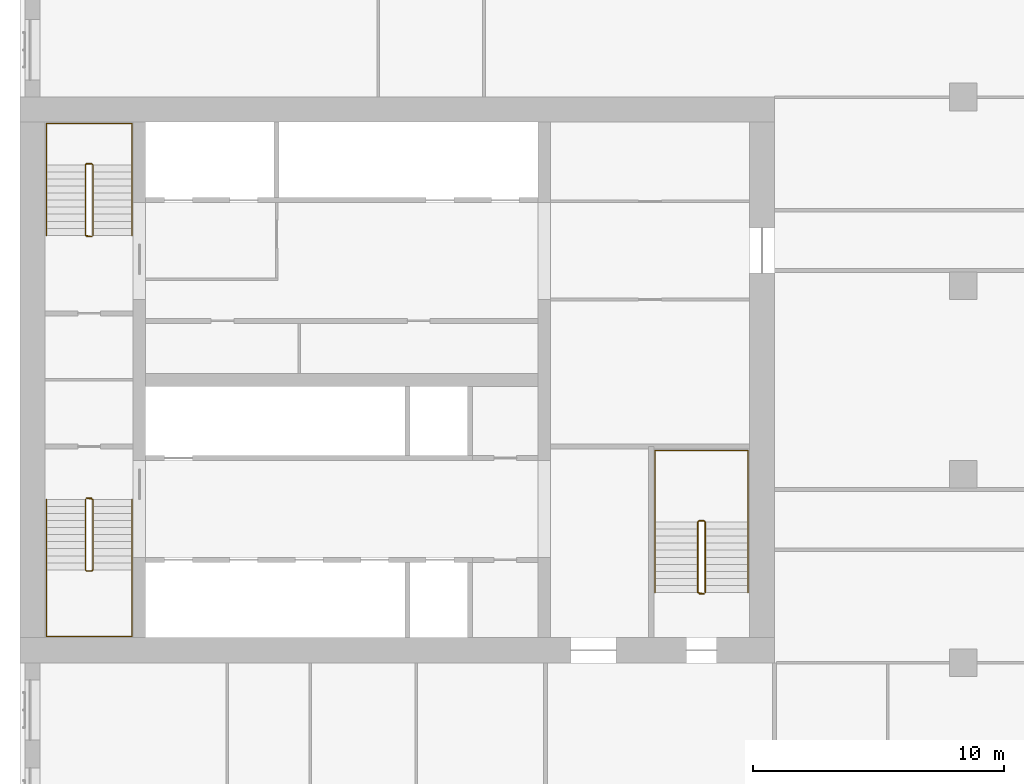
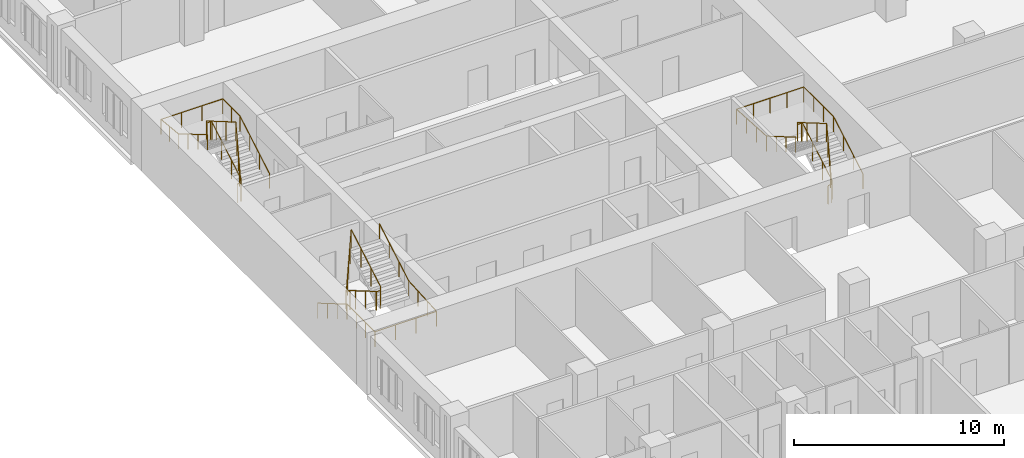
# One storey, part 15 of 15: 6 railings.
"""IFC4 building model written with IfcOpenShell, lengths in metres."""

from ifc_helpers import new_model, si_unit, direction, frame, origin, origin_2d, place, context, subcontext, project, spatial, circle, extrude, material, type_object, element, save


model = new_model("IFC4")

# Units and contexts
model_context = context("Model", 3, precision=1e-05, world=origin(), true_north=direction((0.0, 1.0)))
body_context = subcontext(model_context, "Body", "Model", "MODEL_VIEW")
ifc_project = project(units=[si_unit("LENGTHUNIT", "METRE"), si_unit("AREAUNIT", "SQUARE_METRE"), si_unit("VOLUMEUNIT", "CUBIC_METRE"), si_unit("PLANEANGLEUNIT", "RADIAN"), si_unit("MASSUNIT", "GRAM", prefix="KILO")], contexts=[model_context])

# Site, building, storey
site_placement = place(None, origin())
site = spatial("IfcSite", under=ifc_project, at=site_placement, CompositionType="ELEMENT")
building_placement = place(site_placement, origin())
building = spatial("IfcBuilding", under=site, at=building_placement, Name="Tamorin Gate", CompositionType="ELEMENT")
storey_placement = place(building_placement, frame((0.0, 0.0, 97.10009765625)))
storey = spatial("IfcBuildingStorey", under=building, at=storey_placement, Name="L23", CompositionType="ELEMENT", Elevation=97.10009765625)

# Railings
ifc_material_1 = material(Name="Painted steel balustrade", Category="steel")
railing_type_1 = type_object("IfcRailingType", Name="Stair guard 1100", PredefinedType="GUARDRAIL", material=ifc_material_1)
railing_1_placement = place(storey_placement, frame((32.60009765625, 66.5, 0.16357421875)))
element("IfcRailing", 1, at=railing_1_placement, inside=storey, type_object=railing_type_1, Name="L23 ST1 stair guard 1", PredefinedType="GUARDRAIL", context=body_context, shape_type="SweptSolid", body=[
    extrude(circle(Radius=0.02392578125, at=origin_2d()), frame((0.0, 0.0, 1.076171875), z_axis=(0.0, -0.863393664356, 0.504530851732), x_axis=(1.0, 0.0, 0.0)), (0.0, 0.0, 1.0), 3.2431640625),
    extrude(circle(Radius=0.02392578125, at=origin_2d()), frame((0.0, -2.800048828125, 2.71240234375), z_axis=(0.705375805398, -0.708833529934, 0.0), x_axis=(0.708833529934, 0.705375805398, 0.0)), (0.0, 0.0, 1.0), 0.070556640625),
    extrude(circle(Radius=0.02392578125, at=origin_2d()), frame((0.0498046875, -2.85009765625, 2.71240234375), z_axis=(1.0, 0.0, 0.0), x_axis=(0.0, 1.0, 0.0)), (0.0, 0.0, 1.0), 0.2001953125),
    extrude(circle(Radius=0.02392578125, at=origin_2d()), frame((0.25, -2.85009765625, 2.71240234375), z_axis=(0.279194930351, 0.280563532951, 0.91833234444), x_axis=(-0.708833529934, 0.705375805398, 0.0)), (0.0, 0.0, 1.0), 0.178466796875),
    extrude(circle(Radius=0.02392578125, at=origin_2d()), frame((0.2998046875, -2.800048828125, 2.8759765625), z_axis=(0.0, 0.863393664356, 0.504530851732), x_axis=(-1.0, 0.0, 0.0)), (0.0, 0.0, 1.0), 3.2431640625),
    extrude(circle(Radius=0.02392578125, at=origin_2d()), frame((0.2998046875, 0.0, 4.51220703125), z_axis=(-0.069273741535, 0.013868278335, -0.997501288014), x_axis=(-0.196300278283, -0.98054382908, 0.0)), (0.0, 0.0, 1.0), 3.60888671875),
    extrude(circle(Radius=0.02392578125, at=origin_2d()), frame((0.0498046875, 0.050048828125, 0.91259765625), z_axis=(1.0, 0.0, 0.0), x_axis=(0.0, 1.0, 0.0)), (0.0, 0.0, 1.0), 0.2001953125),
    extrude(circle(Radius=0.02099609375, at=origin_2d()), origin(), (0.0, 0.0, 1.0), 1.052001953125),
    extrude(circle(Radius=0.02099609375, at=origin_2d()), frame((0.0, -0.933349609375, 0.54541015625)), (0.0, 0.0, 1.0), 1.052001953125),
    extrude(circle(Radius=0.02099609375, at=origin_2d()), frame((0.0, -1.86669921875, 1.0908203125)), (0.0, 0.0, 1.0), 1.052001953125),
    extrude(circle(Radius=0.02099609375, at=origin_2d()), frame((0.0, -2.800048828125, 1.63623046875)), (0.0, 0.0, 1.0), 1.052001953125),
    extrude(circle(Radius=0.02099609375, at=origin_2d()), frame((0.0498046875, -2.85009765625, 1.63623046875)), (0.0, 0.0, 1.0), 1.052001953125),
    extrude(circle(Radius=0.02099609375, at=origin_2d()), frame((0.25, -2.85009765625, 1.63623046875)), (0.0, 0.0, 1.0), 1.052001953125),
    extrude(circle(Radius=0.02099609375, at=origin_2d()), frame((0.2998046875, -2.800048828125, 1.800048828125)), (0.0, 0.0, 1.0), 1.052001953125),
    extrude(circle(Radius=0.02099609375, at=origin_2d()), frame((0.2998046875, -1.86669921875, 2.345458984375)), (0.0, 0.0, 1.0), 1.052001953125),
    extrude(circle(Radius=0.02099609375, at=origin_2d()), frame((0.2998046875, -0.933349609375, 2.890869140625)), (0.0, 0.0, 1.0), 1.052001953125),
    extrude(circle(Radius=0.02099609375, at=origin_2d()), frame((0.2998046875, 0.0, 3.436279296875)), (0.0, 0.0, 1.0), 1.052001953125),
    extrude(circle(Radius=0.02099609375, at=origin_2d()), frame((0.2373046875, 0.012451171875, 2.536376953125)), (0.0, 0.0, 1.0), 1.052001953125),
    extrude(circle(Radius=0.02099609375, at=origin_2d()), frame((0.1748046875, 0.02490234375, 1.63623046875)), (0.0, 0.0, 1.0), 1.052001953125),
    extrude(circle(Radius=0.02099609375, at=origin_2d()), frame((0.1123046875, 0.03759765625, 0.736328125)), (0.0, 0.0, 1.0), 1.052001953125),
    extrude(circle(Radius=0.02099609375, at=origin_2d()), frame((0.0498046875, 0.050048828125, -0.16357421875)), (0.0, 0.0, 1.0), 1.052001953125),
    extrude(circle(Radius=0.02099609375, at=origin_2d()), frame((0.25, 0.050048828125, -0.16357421875)), (0.0, 0.0, 1.0), 1.052001953125),
])
railing_2_placement = place(storey_placement, frame((32.89990234375, 77.0, 0.16357421875)))
element("IfcRailing", 2, at=railing_2_placement, inside=storey, type_object=railing_type_1, Name="L23 ST2 stair guard 1", PredefinedType="GUARDRAIL", context=body_context, shape_type="SweptSolid", body=[
    extrude(circle(Radius=0.02392578125, at=origin_2d()), frame((0.0, 0.0, 1.076171875), z_axis=(0.0, 0.863393664356, 0.504530851732), x_axis=(-1.0, 0.0, 0.0)), (0.0, 0.0, 1.0), 3.2431640625),
    extrude(circle(Radius=0.02392578125, at=origin_2d()), frame((0.0, 2.800048828125, 2.71240234375), z_axis=(-0.705375805398, 0.708833529934, 0.0), x_axis=(-0.708833529934, -0.705375805398, 0.0)), (0.0, 0.0, 1.0), 0.070556640625),
    extrude(circle(Radius=0.02392578125, at=origin_2d()), frame((-0.0498046875, 2.85009765625, 2.71240234375), z_axis=(-1.0, 0.0, 0.0), x_axis=(0.0, -1.0, 0.0)), (0.0, 0.0, 1.0), 0.2001953125),
    extrude(circle(Radius=0.02392578125, at=origin_2d()), frame((-0.25, 2.85009765625, 2.71240234375), z_axis=(-0.279194930351, -0.280563532951, 0.91833234444), x_axis=(0.708833529934, -0.705375805398, 0.0)), (0.0, 0.0, 1.0), 0.178466796875),
    extrude(circle(Radius=0.02392578125, at=origin_2d()), frame((-0.2998046875, 2.800048828125, 2.8759765625), z_axis=(0.0, -0.863393664356, 0.504530851732), x_axis=(1.0, 0.0, 0.0)), (0.0, 0.0, 1.0), 3.2431640625),
    extrude(circle(Radius=0.02392578125, at=origin_2d()), frame((-0.2998046875, 0.0, 4.51220703125), z_axis=(0.069273741535, -0.013868278335, -0.997501288014), x_axis=(0.196300278283, 0.98054382908, 0.0)), (0.0, 0.0, 1.0), 3.60888671875),
    extrude(circle(Radius=0.02392578125, at=origin_2d()), frame((-0.0498046875, -0.050048828125, 0.91259765625), z_axis=(-1.0, 0.0, 0.0), x_axis=(0.0, -1.0, 0.0)), (0.0, 0.0, 1.0), 0.2001953125),
    extrude(circle(Radius=0.02099609375, at=origin_2d()), origin(), (0.0, 0.0, 1.0), 1.052001953125),
    extrude(circle(Radius=0.02099609375, at=origin_2d()), frame((0.0, 0.933349609375, 0.54541015625)), (0.0, 0.0, 1.0), 1.052001953125),
    extrude(circle(Radius=0.02099609375, at=origin_2d()), frame((0.0, 1.86669921875, 1.0908203125)), (0.0, 0.0, 1.0), 1.052001953125),
    extrude(circle(Radius=0.02099609375, at=origin_2d()), frame((0.0, 2.800048828125, 1.63623046875)), (0.0, 0.0, 1.0), 1.052001953125),
    extrude(circle(Radius=0.02099609375, at=origin_2d()), frame((-0.0498046875, 2.85009765625, 1.63623046875)), (0.0, 0.0, 1.0), 1.052001953125),
    extrude(circle(Radius=0.02099609375, at=origin_2d()), frame((-0.25, 2.85009765625, 1.63623046875)), (0.0, 0.0, 1.0), 1.052001953125),
    extrude(circle(Radius=0.02099609375, at=origin_2d()), frame((-0.2998046875, 2.800048828125, 1.800048828125)), (0.0, 0.0, 1.0), 1.052001953125),
    extrude(circle(Radius=0.02099609375, at=origin_2d()), frame((-0.2998046875, 1.86669921875, 2.345458984375)), (0.0, 0.0, 1.0), 1.052001953125),
    extrude(circle(Radius=0.02099609375, at=origin_2d()), frame((-0.2998046875, 0.933349609375, 2.890869140625)), (0.0, 0.0, 1.0), 1.052001953125),
    extrude(circle(Radius=0.02099609375, at=origin_2d()), frame((-0.2998046875, 0.0, 3.436279296875)), (0.0, 0.0, 1.0), 1.052001953125),
    extrude(circle(Radius=0.02099609375, at=origin_2d()), frame((-0.2373046875, -0.012451171875, 2.536376953125)), (0.0, 0.0, 1.0), 1.052001953125),
    extrude(circle(Radius=0.02099609375, at=origin_2d()), frame((-0.1748046875, -0.02490234375, 1.63623046875)), (0.0, 0.0, 1.0), 1.052001953125),
    extrude(circle(Radius=0.02099609375, at=origin_2d()), frame((-0.1123046875, -0.03759765625, 0.736328125)), (0.0, 0.0, 1.0), 1.052001953125),
    extrude(circle(Radius=0.02099609375, at=origin_2d()), frame((-0.0498046875, -0.050048828125, -0.16357421875)), (0.0, 0.0, 1.0), 1.052001953125),
    extrude(circle(Radius=0.02099609375, at=origin_2d()), frame((-0.25, -0.050048828125, -0.16357421875)), (0.0, 0.0, 1.0), 1.052001953125),
])
railing_3_placement = place(storey_placement, frame((57.25, 62.800048828125, 0.16357421875)))
element("IfcRailing", 3, at=railing_3_placement, inside=storey, type_object=railing_type_1, Name="L23 ST3 stair guard 1", PredefinedType="GUARDRAIL", context=body_context, shape_type="SweptSolid", body=[
    extrude(circle(Radius=0.02392578125, at=origin_2d()), frame((0.0, 0.0, 1.076171875), z_axis=(0.0, 0.863393664356, 0.504530851732), x_axis=(-1.0, 0.0, 0.0)), (0.0, 0.0, 1.0), 3.2431640625),
    extrude(circle(Radius=0.02392578125, at=origin_2d()), frame((0.0, 2.800048828125, 2.71240234375), z_axis=(-0.708833529934, 0.705375805398, 0.0), x_axis=(-0.705375805398, -0.708833529934, 0.0)), (0.0, 0.0, 1.0), 0.070556640625),
    extrude(circle(Radius=0.02392578125, at=origin_2d()), frame((-0.050048828125, 2.849853515625, 2.71240234375), z_axis=(-1.0, 0.0, 0.0), x_axis=(0.0, -1.0, 0.0)), (0.0, 0.0, 1.0), 0.199951171875),
    extrude(circle(Radius=0.02392578125, at=origin_2d()), frame((-0.25, 2.849853515625, 2.71240234375), z_axis=(-0.280563532951, -0.279194930351, 0.91833234444), x_axis=(0.705375805398, -0.708833529934, 0.0)), (0.0, 0.0, 1.0), 0.178466796875),
    extrude(circle(Radius=0.02392578125, at=origin_2d()), frame((-0.300048828125, 2.800048828125, 2.8759765625), z_axis=(0.0, -0.863393664356, 0.504530851732), x_axis=(1.0, 0.0, 0.0)), (0.0, 0.0, 1.0), 3.2431640625),
    extrude(circle(Radius=0.02392578125, at=origin_2d()), frame((-0.300048828125, 0.0, 4.51220703125), z_axis=(0.069273741535, -0.013868278335, -0.997501288014), x_axis=(0.196300278283, 0.98054382908, 0.0)), (0.0, 0.0, 1.0), 3.60888671875),
    extrude(circle(Radius=0.02392578125, at=origin_2d()), frame((-0.050048828125, -0.050048828125, 0.91259765625), z_axis=(-1.0, 0.0, 0.0), x_axis=(0.0, -1.0, 0.0)), (0.0, 0.0, 1.0), 0.199951171875),
    extrude(circle(Radius=0.02099609375, at=origin_2d()), origin(), (0.0, 0.0, 1.0), 1.052001953125),
    extrude(circle(Radius=0.02099609375, at=origin_2d()), frame((0.0, 0.933349609375, 0.54541015625)), (0.0, 0.0, 1.0), 1.052001953125),
    extrude(circle(Radius=0.02099609375, at=origin_2d()), frame((0.0, 1.86669921875, 1.0908203125)), (0.0, 0.0, 1.0), 1.052001953125),
    extrude(circle(Radius=0.02099609375, at=origin_2d()), frame((0.0, 2.800048828125, 1.63623046875)), (0.0, 0.0, 1.0), 1.052001953125),
    extrude(circle(Radius=0.02099609375, at=origin_2d()), frame((-0.050048828125, 2.849853515625, 1.63623046875)), (0.0, 0.0, 1.0), 1.052001953125),
    extrude(circle(Radius=0.02099609375, at=origin_2d()), frame((-0.25, 2.849853515625, 1.63623046875)), (0.0, 0.0, 1.0), 1.052001953125),
    extrude(circle(Radius=0.02099609375, at=origin_2d()), frame((-0.300048828125, 2.800048828125, 1.800048828125)), (0.0, 0.0, 1.0), 1.052001953125),
    extrude(circle(Radius=0.02099609375, at=origin_2d()), frame((-0.300048828125, 1.86669921875, 2.345458984375)), (0.0, 0.0, 1.0), 1.052001953125),
    extrude(circle(Radius=0.02099609375, at=origin_2d()), frame((-0.300048828125, 0.933349609375, 2.890869140625)), (0.0, 0.0, 1.0), 1.052001953125),
    extrude(circle(Radius=0.02099609375, at=origin_2d()), frame((-0.300048828125, 0.0, 3.436279296875)), (0.0, 0.0, 1.0), 1.052001953125),
    extrude(circle(Radius=0.02099609375, at=origin_2d()), frame((-0.237548828125, -0.012451171875, 2.536376953125)), (0.0, 0.0, 1.0), 1.052001953125),
    extrude(circle(Radius=0.02099609375, at=origin_2d()), frame((-0.175048828125, -0.02490234375, 1.63623046875)), (0.0, 0.0, 1.0), 1.052001953125),
    extrude(circle(Radius=0.02099609375, at=origin_2d()), frame((-0.112548828125, -0.03759765625, 0.736328125)), (0.0, 0.0, 1.0), 1.052001953125),
    extrude(circle(Radius=0.02099609375, at=origin_2d()), frame((-0.050048828125, -0.050048828125, -0.16357421875)), (0.0, 0.0, 1.0), 1.052001953125),
    extrude(circle(Radius=0.02099609375, at=origin_2d()), frame((-0.25, -0.050048828125, -0.16357421875)), (0.0, 0.0, 1.0), 1.052001953125),
])
ifc_material_2 = material(Name="Painted steel handrail", Category="steel")
railing_type_2 = type_object("IfcRailingType", Name="Stair handrail 900", PredefinedType="HANDRAIL", material=ifc_material_2)
railing_4_placement = place(storey_placement, frame((31.050048828125, 66.5, 0.16357421875)))
element("IfcRailing", 4, at=railing_4_placement, inside=storey, type_object=railing_type_2, Name="L23 ST1 stair handrail 1", PredefinedType="HANDRAIL", context=body_context, shape_type="SweptSolid", body=[
    extrude(circle(Radius=0.02392578125, at=origin_2d()), frame((0.0, 0.0, 0.8759765625), z_axis=(0.0, -0.863393664356, 0.504530851732), x_axis=(1.0, 0.0, 0.0)), (0.0, 0.0, 1.0), 3.2431640625),
    extrude(circle(Radius=0.02392578125, at=origin_2d()), frame((0.0, -2.800048828125, 2.51220703125), z_axis=(0.0, -1.0, 0.0), x_axis=(1.0, 0.0, 0.0)), (0.0, 0.0, 1.0), 2.64990234375),
    extrude(circle(Radius=0.02392578125, at=origin_2d()), frame((0.0, -5.449951171875, 2.51220703125), z_axis=(1.0, 0.0, 0.0), x_axis=(0.0, 1.0, 0.0)), (0.0, 0.0, 1.0), 3.39990234375),
    extrude(circle(Radius=0.02392578125, at=origin_2d()), frame((3.39990234375, -5.449951171875, 2.51220703125), z_axis=(0.0, 0.998094571079, 0.061702732375), x_axis=(-1.0, 0.0, 0.0)), (0.0, 0.0, 1.0), 2.655029296875),
    extrude(circle(Radius=0.02392578125, at=origin_2d()), frame((3.39990234375, -2.800048828125, 2.67578125), z_axis=(0.0, 0.863393664356, 0.504530851732), x_axis=(-1.0, 0.0, 0.0)), (0.0, 0.0, 1.0), 3.2431640625),
    extrude(circle(Radius=0.02099609375, at=origin_2d()), origin(), (0.0, 0.0, 1.0), 0.851806640625),
    extrude(circle(Radius=0.02099609375, at=origin_2d()), frame((0.0, -0.933349609375, 0.54541015625)), (0.0, 0.0, 1.0), 0.851806640625),
    extrude(circle(Radius=0.02099609375, at=origin_2d()), frame((0.0, -1.86669921875, 1.0908203125)), (0.0, 0.0, 1.0), 0.851806640625),
    extrude(circle(Radius=0.02099609375, at=origin_2d()), frame((0.0, -2.800048828125, 1.63623046875)), (0.0, 0.0, 1.0), 0.851806640625),
    extrude(circle(Radius=0.02099609375, at=origin_2d()), frame((0.0, -3.683349609375, 1.63623046875)), (0.0, 0.0, 1.0), 0.851806640625),
    extrude(circle(Radius=0.02099609375, at=origin_2d()), frame((0.0, -4.566650390625, 1.63623046875)), (0.0, 0.0, 1.0), 0.851806640625),
    extrude(circle(Radius=0.02099609375, at=origin_2d()), frame((0.0, -5.449951171875, 1.63623046875)), (0.0, 0.0, 1.0), 0.851806640625),
    extrude(circle(Radius=0.02099609375, at=origin_2d()), frame((1.13330078125, -5.449951171875, 1.63623046875)), (0.0, 0.0, 1.0), 0.851806640625),
    extrude(circle(Radius=0.02099609375, at=origin_2d()), frame((2.2666015625, -5.449951171875, 1.63623046875)), (0.0, 0.0, 1.0), 0.851806640625),
    extrude(circle(Radius=0.02099609375, at=origin_2d()), frame((3.39990234375, -5.449951171875, 1.63623046875)), (0.0, 0.0, 1.0), 0.851806640625),
    extrude(circle(Radius=0.02099609375, at=origin_2d()), frame((3.39990234375, -4.566650390625, 1.69091796875)), (0.0, 0.0, 1.0), 0.851806640625),
    extrude(circle(Radius=0.02099609375, at=origin_2d()), frame((3.39990234375, -3.683349609375, 1.745361328125)), (0.0, 0.0, 1.0), 0.851806640625),
    extrude(circle(Radius=0.02099609375, at=origin_2d()), frame((3.39990234375, -2.800048828125, 1.800048828125)), (0.0, 0.0, 1.0), 0.851806640625),
    extrude(circle(Radius=0.02099609375, at=origin_2d()), frame((3.39990234375, -1.86669921875, 2.345458984375)), (0.0, 0.0, 1.0), 0.851806640625),
    extrude(circle(Radius=0.02099609375, at=origin_2d()), frame((3.39990234375, -0.933349609375, 2.890869140625)), (0.0, 0.0, 1.0), 0.851806640625),
    extrude(circle(Radius=0.02099609375, at=origin_2d()), frame((3.39990234375, 0.0, 3.436279296875)), (0.0, 0.0, 1.0), 0.851806640625),
])
railing_5_placement = place(storey_placement, frame((34.449951171875, 77.0, 0.16357421875)))
element("IfcRailing", 5, at=railing_5_placement, inside=storey, type_object=railing_type_2, Name="L23 ST2 stair handrail 1", PredefinedType="HANDRAIL", context=body_context, shape_type="SweptSolid", body=[
    extrude(circle(Radius=0.02392578125, at=origin_2d()), frame((0.0, 0.0, 0.8759765625), z_axis=(0.0, 0.863393664356, 0.504530851732), x_axis=(-1.0, 0.0, 0.0)), (0.0, 0.0, 1.0), 3.2431640625),
    extrude(circle(Radius=0.02392578125, at=origin_2d()), frame((0.0, 2.800048828125, 2.51220703125), z_axis=(0.0, 1.0, 0.0), x_axis=(-1.0, 0.0, 0.0)), (0.0, 0.0, 1.0), 1.64990234375),
    extrude(circle(Radius=0.02392578125, at=origin_2d()), frame((0.0, 4.449951171875, 2.51220703125), z_axis=(-1.0, 0.0, 0.0), x_axis=(0.0, -1.0, 0.0)), (0.0, 0.0, 1.0), 3.39990234375),
    extrude(circle(Radius=0.02392578125, at=origin_2d()), frame((-3.39990234375, 4.449951171875, 2.51220703125), z_axis=(0.0, -0.995106923726, 0.098803898464), x_axis=(1.0, 0.0, 0.0)), (0.0, 0.0, 1.0), 1.657958984375),
    extrude(circle(Radius=0.02392578125, at=origin_2d()), frame((-3.39990234375, 2.800048828125, 2.67578125), z_axis=(0.0, -0.863393664356, 0.504530851732), x_axis=(1.0, 0.0, 0.0)), (0.0, 0.0, 1.0), 3.2431640625),
    extrude(circle(Radius=0.02099609375, at=origin_2d()), origin(), (0.0, 0.0, 1.0), 0.851806640625),
    extrude(circle(Radius=0.02099609375, at=origin_2d()), frame((0.0, 0.933349609375, 0.54541015625)), (0.0, 0.0, 1.0), 0.851806640625),
    extrude(circle(Radius=0.02099609375, at=origin_2d()), frame((0.0, 1.86669921875, 1.0908203125)), (0.0, 0.0, 1.0), 0.851806640625),
    extrude(circle(Radius=0.02099609375, at=origin_2d()), frame((0.0, 2.800048828125, 1.63623046875)), (0.0, 0.0, 1.0), 0.851806640625),
    extrude(circle(Radius=0.02099609375, at=origin_2d()), frame((0.0, 3.625, 1.63623046875)), (0.0, 0.0, 1.0), 0.851806640625),
    extrude(circle(Radius=0.02099609375, at=origin_2d()), frame((0.0, 4.449951171875, 1.63623046875)), (0.0, 0.0, 1.0), 0.851806640625),
    extrude(circle(Radius=0.02099609375, at=origin_2d()), frame((-1.13330078125, 4.449951171875, 1.63623046875)), (0.0, 0.0, 1.0), 0.851806640625),
    extrude(circle(Radius=0.02099609375, at=origin_2d()), frame((-2.2666015625, 4.449951171875, 1.63623046875)), (0.0, 0.0, 1.0), 0.851806640625),
    extrude(circle(Radius=0.02099609375, at=origin_2d()), frame((-3.39990234375, 4.449951171875, 1.63623046875)), (0.0, 0.0, 1.0), 0.851806640625),
    extrude(circle(Radius=0.02099609375, at=origin_2d()), frame((-3.39990234375, 3.625, 1.71826171875)), (0.0, 0.0, 1.0), 0.851806640625),
    extrude(circle(Radius=0.02099609375, at=origin_2d()), frame((-3.39990234375, 2.800048828125, 1.800048828125)), (0.0, 0.0, 1.0), 0.851806640625),
    extrude(circle(Radius=0.02099609375, at=origin_2d()), frame((-3.39990234375, 1.86669921875, 2.345458984375)), (0.0, 0.0, 1.0), 0.851806640625),
    extrude(circle(Radius=0.02099609375, at=origin_2d()), frame((-3.39990234375, 0.933349609375, 2.890869140625)), (0.0, 0.0, 1.0), 0.851806640625),
    extrude(circle(Radius=0.02099609375, at=origin_2d()), frame((-3.39990234375, 0.0, 3.436279296875)), (0.0, 0.0, 1.0), 0.851806640625),
])
railing_6_placement = place(storey_placement, frame((58.949951171875, 62.800048828125, 0.16357421875)))
element("IfcRailing", 6, at=railing_6_placement, inside=storey, type_object=railing_type_2, Name="L23 ST3 stair handrail 1", PredefinedType="HANDRAIL", context=body_context, shape_type="SweptSolid", body=[
    extrude(circle(Radius=0.02392578125, at=origin_2d()), frame((0.0, 0.0, 0.8759765625), z_axis=(0.0, 0.863393664356, 0.504530851732), x_axis=(-1.0, 0.0, 0.0)), (0.0, 0.0, 1.0), 3.2431640625),
    extrude(circle(Radius=0.02392578125, at=origin_2d()), frame((0.0, 2.800048828125, 2.51220703125), z_axis=(0.0, 1.0, 0.0), x_axis=(-1.0, 0.0, 0.0)), (0.0, 0.0, 1.0), 2.849853515625),
    extrude(circle(Radius=0.02392578125, at=origin_2d()), frame((0.0, 5.64990234375, 2.51220703125), z_axis=(-1.0, 0.0, 0.0), x_axis=(0.0, -1.0, 0.0)), (0.0, 0.0, 1.0), 3.699951171875),
    extrude(circle(Radius=0.02392578125, at=origin_2d()), frame((-3.699951171875, 5.64990234375, 2.51220703125), z_axis=(0.0, -0.998351930891, 0.057388344524), x_axis=(1.0, 0.0, 0.0)), (0.0, 0.0, 1.0), 2.8544921875),
    extrude(circle(Radius=0.02392578125, at=origin_2d()), frame((-3.699951171875, 2.800048828125, 2.67578125), z_axis=(0.0, -0.863393664356, 0.504530851732), x_axis=(1.0, 0.0, 0.0)), (0.0, 0.0, 1.0), 3.2431640625),
    extrude(circle(Radius=0.02099609375, at=origin_2d()), origin(), (0.0, 0.0, 1.0), 0.851806640625),
    extrude(circle(Radius=0.02099609375, at=origin_2d()), frame((0.0, 0.933349609375, 0.54541015625)), (0.0, 0.0, 1.0), 0.851806640625),
    extrude(circle(Radius=0.02099609375, at=origin_2d()), frame((0.0, 1.86669921875, 1.0908203125)), (0.0, 0.0, 1.0), 0.851806640625),
    extrude(circle(Radius=0.02099609375, at=origin_2d()), frame((0.0, 2.800048828125, 1.63623046875)), (0.0, 0.0, 1.0), 0.851806640625),
    extrude(circle(Radius=0.02099609375, at=origin_2d()), frame((0.0, 3.75, 1.63623046875)), (0.0, 0.0, 1.0), 0.851806640625),
    extrude(circle(Radius=0.02099609375, at=origin_2d()), frame((0.0, 4.699951171875, 1.63623046875)), (0.0, 0.0, 1.0), 0.851806640625),
    extrude(circle(Radius=0.02099609375, at=origin_2d()), frame((0.0, 5.64990234375, 1.63623046875)), (0.0, 0.0, 1.0), 0.851806640625),
    extrude(circle(Radius=0.02099609375, at=origin_2d()), frame((-0.925048828125, 5.64990234375, 1.63623046875)), (0.0, 0.0, 1.0), 0.851806640625),
    extrude(circle(Radius=0.02099609375, at=origin_2d()), frame((-1.85009765625, 5.64990234375, 1.63623046875)), (0.0, 0.0, 1.0), 0.851806640625),
    extrude(circle(Radius=0.02099609375, at=origin_2d()), frame((-2.77490234375, 5.64990234375, 1.63623046875)), (0.0, 0.0, 1.0), 0.851806640625),
    extrude(circle(Radius=0.02099609375, at=origin_2d()), frame((-3.699951171875, 5.64990234375, 1.63623046875)), (0.0, 0.0, 1.0), 0.851806640625),
    extrude(circle(Radius=0.02099609375, at=origin_2d()), frame((-3.699951171875, 4.699951171875, 1.69091796875)), (0.0, 0.0, 1.0), 0.851806640625),
    extrude(circle(Radius=0.02099609375, at=origin_2d()), frame((-3.699951171875, 3.75, 1.745361328125)), (0.0, 0.0, 1.0), 0.851806640625),
    extrude(circle(Radius=0.02099609375, at=origin_2d()), frame((-3.699951171875, 2.800048828125, 1.800048828125)), (0.0, 0.0, 1.0), 0.851806640625),
    extrude(circle(Radius=0.02099609375, at=origin_2d()), frame((-3.699951171875, 1.86669921875, 2.345458984375)), (0.0, 0.0, 1.0), 0.851806640625),
    extrude(circle(Radius=0.02099609375, at=origin_2d()), frame((-3.699951171875, 0.933349609375, 2.890869140625)), (0.0, 0.0, 1.0), 0.851806640625),
    extrude(circle(Radius=0.02099609375, at=origin_2d()), frame((-3.699951171875, 0.0, 3.436279296875)), (0.0, 0.0, 1.0), 0.851806640625),
])

save(model, "model.ifc")
